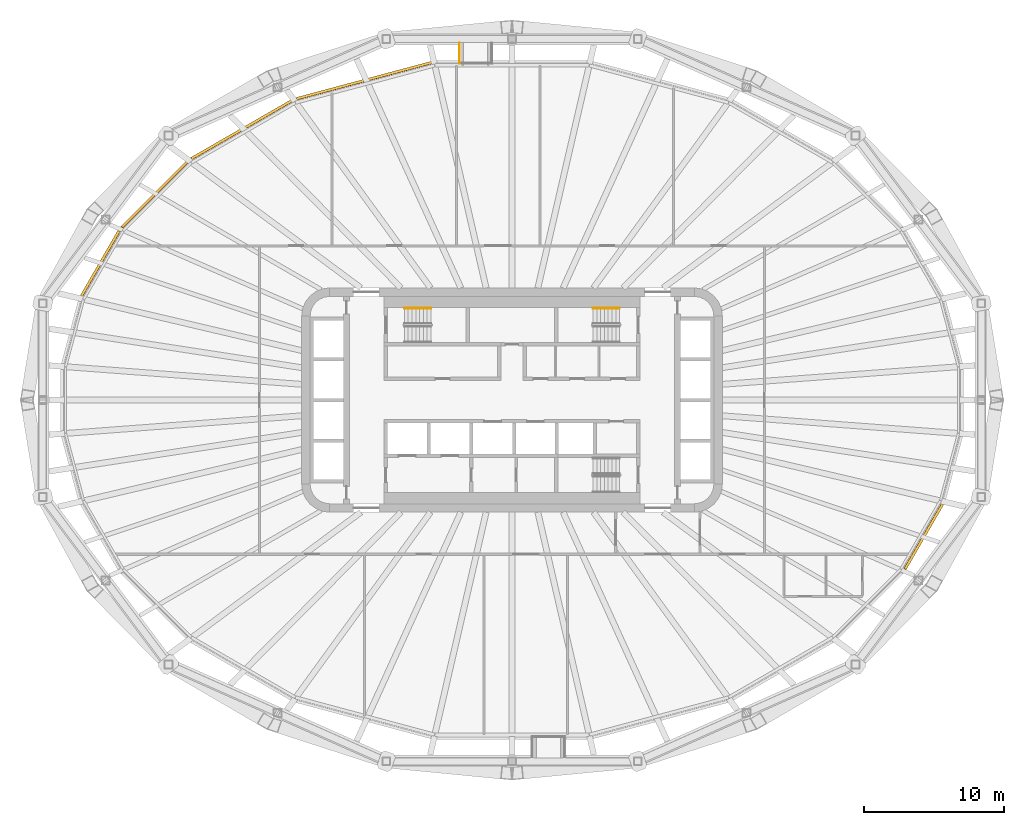
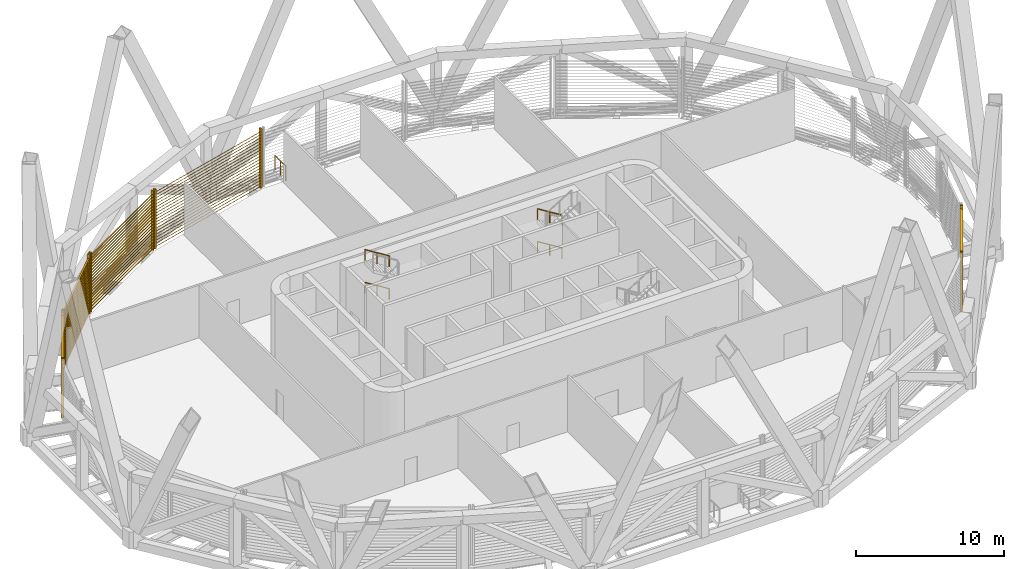
# One storey, part 16 of 18: 5 railings, 5 shading devices.
"""IFC4 building model written with IfcOpenShell, lengths in metres."""

from ifc_helpers import new_model, si_unit, direction, frame, origin, origin_2d, place, context, subcontext, project, spatial, rectangle, circle, extrude, material, type_object, element, save


model = new_model("IFC4")

# Units and contexts
model_context = context("Model", 3, precision=1e-05, world=origin(), true_north=direction((0.0, 1.0)))
body_context = subcontext(model_context, "Body", "Model", "MODEL_VIEW")
ifc_project = project(units=[si_unit("LENGTHUNIT", "METRE"), si_unit("AREAUNIT", "SQUARE_METRE"), si_unit("VOLUMEUNIT", "CUBIC_METRE"), si_unit("PLANEANGLEUNIT", "RADIAN"), si_unit("MASSUNIT", "GRAM", prefix="KILO")], contexts=[model_context])

# Site, building, storey
site_placement = place(None, origin())
site = spatial("IfcSite", under=ifc_project, at=site_placement, CompositionType="ELEMENT")
building_placement = place(site_placement, origin())
building = spatial("IfcBuilding", under=site, at=building_placement, Name="Sahrelin Media Tower", CompositionType="ELEMENT")
storey_placement = place(building_placement, frame((0.0, 0.0, 96.60009765625)))
storey = spatial("IfcBuildingStorey", under=building, at=storey_placement, Name="L18", CompositionType="ELEMENT", Elevation=96.60009765625)

# Railing
ifc_material_1 = material(Name="Stainless steel 316", Category="steel")
railing_type_1 = type_object("IfcRailingType", Name="Maintenance platform guard", PredefinedType="GUARDRAIL", material=ifc_material_1)
railing_1_placement = place(storey_placement, frame((-3.75, 24.01611328125, 0.0)))
element("IfcRailing", 1, at=railing_1_placement, inside=storey, type_object=railing_type_1, Name="Maintenance platform guard L18-06-B", PredefinedType="GUARDRAIL", context=body_context, shape_type="SweptSolid", body=[
    extrude(circle(Radius=0.02392578125, at=origin_2d()), frame((0.0, 0.0, 1.17578125), z_axis=(0.0, 1.0, 0.0), x_axis=(-1.0, 0.0, 0.0)), (0.0, 0.0, 1.0), 1.445068359375),
    extrude(circle(Radius=0.02099609375, at=origin_2d()), origin(), (0.0, 0.0, 1.0), 1.15185546875),
    extrude(circle(Radius=0.02099609375, at=origin_2d()), frame((0.0, 0.72265625, 0.0)), (0.0, 0.0, 1.0), 1.15185546875),
    extrude(circle(Radius=0.02099609375, at=origin_2d()), frame((0.0, 1.445068359375, 0.0)), (0.0, 0.0, 1.0), 1.15185546875),
])

# Shading devices
ifc_material_2 = material(Name="Champagne anodised aluminium 6063-T6", Category="aluminium")
shading_device_type = type_object("IfcShadingDeviceType", Name="Sand-rejection louvre band", PredefinedType="USERDEFINED", material=ifc_material_2)
shading_device_1_placement = place(storey_placement, frame((-10.523681640625, 22.6806640625, 0.0), z_axis=(0.0, 0.0, 1.0), x_axis=(0.965928857556, 0.258807731996, 0.0)))
element("IfcShadingDevice", 2, at=shading_device_1_placement, inside=storey, type_object=shading_device_type, Name="L18:LOUVRE:L18-07", ObjectType="LOUVRE", PredefinedType="USERDEFINED", context=body_context, shape_type="SweptSolid", body=[
    extrude(rectangle(XDim=0.1201171875, YDim=0.199951171875, at=origin_2d()), frame((5.050048828125, 0.10009765625, 0.050048828125), z_axis=(0.0, 0.0, 1.0), x_axis=(1.0, 0.0, 0.0)), (0.0, 0.0, 1.0), 4.8984375),
    extrude(rectangle(XDim=0.1201171875, YDim=0.199951171875, at=origin_2d()), frame((-5.050048828125, 0.10009765625, 0.050048828125), z_axis=(0.0, 0.0, 1.0), x_axis=(1.0, 0.0, 0.0)), (0.0, 0.0, 1.0), 4.8984375),
    extrude(rectangle(XDim=0.25, YDim=0.02001953125, at=origin_2d()), frame((4.989990234375, 0.10009765625, 0.14990234375), z_axis=(-1.0, 0.0, 0.0), x_axis=(0.0, -0.766044443119, 0.642787609687)), (0.0, 0.0, 1.0), 9.97998046875),
    extrude(rectangle(XDim=0.25, YDim=0.02001953125, at=origin_2d()), frame((4.989990234375, 0.10009765625, 0.39990234375), z_axis=(-1.0, 0.0, 0.0), x_axis=(0.0, -0.766044443119, 0.642787609687)), (0.0, 0.0, 1.0), 9.97998046875),
    extrude(rectangle(XDim=0.25, YDim=0.02001953125, at=origin_2d()), frame((4.989990234375, 0.10009765625, 0.64990234375), z_axis=(-1.0, 0.0, 0.0), x_axis=(0.0, -0.766044443119, 0.642787609687)), (0.0, 0.0, 1.0), 9.97998046875),
    extrude(rectangle(XDim=0.25, YDim=0.02001953125, at=origin_2d()), frame((4.989990234375, 0.10009765625, 0.89990234375), z_axis=(-1.0, 0.0, 0.0), x_axis=(0.0, -0.766044443119, 0.642787609687)), (0.0, 0.0, 1.0), 9.97998046875),
    extrude(rectangle(XDim=0.25, YDim=0.02001953125, at=origin_2d()), frame((4.989990234375, 0.10009765625, 1.14990234375), z_axis=(-1.0, 0.0, 0.0), x_axis=(0.0, -0.766044443119, 0.642787609687)), (0.0, 0.0, 1.0), 9.97998046875),
    extrude(rectangle(XDim=0.25, YDim=0.02001953125, at=origin_2d()), frame((4.989990234375, 0.10009765625, 1.39990234375), z_axis=(-1.0, 0.0, 0.0), x_axis=(0.0, -0.766044443119, 0.642787609687)), (0.0, 0.0, 1.0), 9.97998046875),
    extrude(rectangle(XDim=0.25, YDim=0.02001953125, at=origin_2d()), frame((4.989990234375, 0.10009765625, 1.64990234375), z_axis=(-1.0, 0.0, 0.0), x_axis=(0.0, -0.766044443119, 0.642787609687)), (0.0, 0.0, 1.0), 9.97998046875),
    extrude(rectangle(XDim=0.25, YDim=0.02001953125, at=origin_2d()), frame((4.989990234375, 0.10009765625, 1.89990234375), z_axis=(-1.0, 0.0, 0.0), x_axis=(0.0, -0.766044443119, 0.642787609687)), (0.0, 0.0, 1.0), 9.97998046875),
    extrude(rectangle(XDim=0.25, YDim=0.02001953125, at=origin_2d()), frame((4.989990234375, 0.10009765625, 2.14990234375), z_axis=(-1.0, 0.0, 0.0), x_axis=(0.0, -0.766044443119, 0.642787609687)), (0.0, 0.0, 1.0), 9.97998046875),
    extrude(rectangle(XDim=0.25, YDim=0.02001953125, at=origin_2d()), frame((4.989990234375, 0.10009765625, 2.39990234375), z_axis=(-1.0, 0.0, 0.0), x_axis=(0.0, -0.766044443119, 0.642787609687)), (0.0, 0.0, 1.0), 9.97998046875),
    extrude(rectangle(XDim=0.25, YDim=0.02001953125, at=origin_2d()), frame((4.989990234375, 0.10009765625, 2.64990234375), z_axis=(-1.0, 0.0, 0.0), x_axis=(0.0, -0.766044443119, 0.642787609687)), (0.0, 0.0, 1.0), 9.97998046875),
    extrude(rectangle(XDim=0.25, YDim=0.02001953125, at=origin_2d()), frame((4.989990234375, 0.10009765625, 2.89990234375), z_axis=(-1.0, 0.0, 0.0), x_axis=(0.0, -0.766044443119, 0.642787609687)), (0.0, 0.0, 1.0), 9.97998046875),
    extrude(rectangle(XDim=0.25, YDim=0.02001953125, at=origin_2d()), frame((4.989990234375, 0.10009765625, 3.14990234375), z_axis=(-1.0, 0.0, 0.0), x_axis=(0.0, -0.766044443119, 0.642787609687)), (0.0, 0.0, 1.0), 9.97998046875),
    extrude(rectangle(XDim=0.25, YDim=0.02001953125, at=origin_2d()), frame((4.989990234375, 0.10009765625, 3.39990234375), z_axis=(-1.0, 0.0, 0.0), x_axis=(0.0, -0.766044443119, 0.642787609687)), (0.0, 0.0, 1.0), 9.97998046875),
    extrude(rectangle(XDim=0.25, YDim=0.02001953125, at=origin_2d()), frame((4.989990234375, 0.10009765625, 3.64990234375), z_axis=(-1.0, 0.0, 0.0), x_axis=(0.0, -0.766044443119, 0.642787609687)), (0.0, 0.0, 1.0), 9.97998046875),
    extrude(rectangle(XDim=0.25, YDim=0.02001953125, at=origin_2d()), frame((4.989990234375, 0.10009765625, 3.89990234375), z_axis=(-1.0, 0.0, 0.0), x_axis=(0.0, -0.766044443119, 0.642787609687)), (0.0, 0.0, 1.0), 9.97998046875),
    extrude(rectangle(XDim=0.25, YDim=0.02001953125, at=origin_2d()), frame((4.989990234375, 0.10009765625, 4.14990234375), z_axis=(-1.0, 0.0, 0.0), x_axis=(0.0, -0.766044443119, 0.642787609687)), (0.0, 0.0, 1.0), 9.97998046875),
    extrude(rectangle(XDim=0.25, YDim=0.02001953125, at=origin_2d()), frame((4.989990234375, 0.10009765625, 4.39990234375), z_axis=(-1.0, 0.0, 0.0), x_axis=(0.0, -0.766044443119, 0.642787609687)), (0.0, 0.0, 1.0), 9.97998046875),
    extrude(rectangle(XDim=0.25, YDim=0.02001953125, at=origin_2d()), frame((4.989990234375, 0.10009765625, 4.64990234375), z_axis=(-1.0, 0.0, 0.0), x_axis=(0.0, -0.766044443119, 0.642787609687)), (0.0, 0.0, 1.0), 9.97998046875),
])
shading_device_2_placement = place(storey_placement, frame((-19.237548828125, 19.191650390625, 0.0), z_axis=(0.0, 0.0, 1.0), x_axis=(0.866019052629, 0.500011000363, 0.0)))
element("IfcShadingDevice", 3, at=shading_device_2_placement, inside=storey, type_object=shading_device_type, Name="L18:LOUVRE:L18-08", ObjectType="LOUVRE", PredefinedType="USERDEFINED", context=body_context, shape_type="SweptSolid", body=[
    extrude(rectangle(XDim=0.1201171875, YDim=0.199951171875, at=origin_2d()), frame((4.19677734375, 0.10009765625, 0.050048828125), z_axis=(0.0, 0.0, 1.0), x_axis=(1.0, 0.0, 0.0)), (0.0, 0.0, 1.0), 4.8984375),
    extrude(rectangle(XDim=0.1201171875, YDim=0.199951171875, at=origin_2d()), frame((-4.19677734375, 0.10009765625, 0.050048828125), z_axis=(0.0, 0.0, 1.0), x_axis=(1.0, 0.0, 0.0)), (0.0, 0.0, 1.0), 4.8984375),
    extrude(rectangle(XDim=0.25, YDim=0.02001953125, at=origin_2d()), frame((4.13671875, 0.10009765625, 0.14990234375), z_axis=(-1.0, 0.0, 0.0), x_axis=(0.0, -0.766044443119, 0.642787609687)), (0.0, 0.0, 1.0), 8.2734375),
    extrude(rectangle(XDim=0.25, YDim=0.02001953125, at=origin_2d()), frame((4.13671875, 0.10009765625, 0.39990234375), z_axis=(-1.0, 0.0, 0.0), x_axis=(0.0, -0.766044443119, 0.642787609687)), (0.0, 0.0, 1.0), 8.2734375),
    extrude(rectangle(XDim=0.25, YDim=0.02001953125, at=origin_2d()), frame((4.13671875, 0.10009765625, 0.64990234375), z_axis=(-1.0, 0.0, 0.0), x_axis=(0.0, -0.766044443119, 0.642787609687)), (0.0, 0.0, 1.0), 8.2734375),
    extrude(rectangle(XDim=0.25, YDim=0.02001953125, at=origin_2d()), frame((4.13671875, 0.10009765625, 0.89990234375), z_axis=(-1.0, 0.0, 0.0), x_axis=(0.0, -0.766044443119, 0.642787609687)), (0.0, 0.0, 1.0), 8.2734375),
    extrude(rectangle(XDim=0.25, YDim=0.02001953125, at=origin_2d()), frame((4.13671875, 0.10009765625, 1.14990234375), z_axis=(-1.0, 0.0, 0.0), x_axis=(0.0, -0.766044443119, 0.642787609687)), (0.0, 0.0, 1.0), 8.2734375),
    extrude(rectangle(XDim=0.25, YDim=0.02001953125, at=origin_2d()), frame((4.13671875, 0.10009765625, 1.39990234375), z_axis=(-1.0, 0.0, 0.0), x_axis=(0.0, -0.766044443119, 0.642787609687)), (0.0, 0.0, 1.0), 8.2734375),
    extrude(rectangle(XDim=0.25, YDim=0.02001953125, at=origin_2d()), frame((4.13671875, 0.10009765625, 1.64990234375), z_axis=(-1.0, 0.0, 0.0), x_axis=(0.0, -0.766044443119, 0.642787609687)), (0.0, 0.0, 1.0), 8.2734375),
    extrude(rectangle(XDim=0.25, YDim=0.02001953125, at=origin_2d()), frame((4.13671875, 0.10009765625, 1.89990234375), z_axis=(-1.0, 0.0, 0.0), x_axis=(0.0, -0.766044443119, 0.642787609687)), (0.0, 0.0, 1.0), 8.2734375),
    extrude(rectangle(XDim=0.25, YDim=0.02001953125, at=origin_2d()), frame((4.13671875, 0.10009765625, 2.14990234375), z_axis=(-1.0, 0.0, 0.0), x_axis=(0.0, -0.766044443119, 0.642787609687)), (0.0, 0.0, 1.0), 8.2734375),
    extrude(rectangle(XDim=0.25, YDim=0.02001953125, at=origin_2d()), frame((4.13671875, 0.10009765625, 2.39990234375), z_axis=(-1.0, 0.0, 0.0), x_axis=(0.0, -0.766044443119, 0.642787609687)), (0.0, 0.0, 1.0), 8.2734375),
    extrude(rectangle(XDim=0.25, YDim=0.02001953125, at=origin_2d()), frame((4.13671875, 0.10009765625, 2.64990234375), z_axis=(-1.0, 0.0, 0.0), x_axis=(0.0, -0.766044443119, 0.642787609687)), (0.0, 0.0, 1.0), 8.2734375),
    extrude(rectangle(XDim=0.25, YDim=0.02001953125, at=origin_2d()), frame((4.13671875, 0.10009765625, 2.89990234375), z_axis=(-1.0, 0.0, 0.0), x_axis=(0.0, -0.766044443119, 0.642787609687)), (0.0, 0.0, 1.0), 8.2734375),
    extrude(rectangle(XDim=0.25, YDim=0.02001953125, at=origin_2d()), frame((4.13671875, 0.10009765625, 3.14990234375), z_axis=(-1.0, 0.0, 0.0), x_axis=(0.0, -0.766044443119, 0.642787609687)), (0.0, 0.0, 1.0), 8.2734375),
    extrude(rectangle(XDim=0.25, YDim=0.02001953125, at=origin_2d()), frame((4.13671875, 0.10009765625, 3.39990234375), z_axis=(-1.0, 0.0, 0.0), x_axis=(0.0, -0.766044443119, 0.642787609687)), (0.0, 0.0, 1.0), 8.2734375),
    extrude(rectangle(XDim=0.25, YDim=0.02001953125, at=origin_2d()), frame((4.13671875, 0.10009765625, 3.64990234375), z_axis=(-1.0, 0.0, 0.0), x_axis=(0.0, -0.766044443119, 0.642787609687)), (0.0, 0.0, 1.0), 8.2734375),
    extrude(rectangle(XDim=0.25, YDim=0.02001953125, at=origin_2d()), frame((4.13671875, 0.10009765625, 3.89990234375), z_axis=(-1.0, 0.0, 0.0), x_axis=(0.0, -0.766044443119, 0.642787609687)), (0.0, 0.0, 1.0), 8.2734375),
    extrude(rectangle(XDim=0.25, YDim=0.02001953125, at=origin_2d()), frame((4.13671875, 0.10009765625, 4.14990234375), z_axis=(-1.0, 0.0, 0.0), x_axis=(0.0, -0.766044443119, 0.642787609687)), (0.0, 0.0, 1.0), 8.2734375),
    extrude(rectangle(XDim=0.25, YDim=0.02001953125, at=origin_2d()), frame((4.13671875, 0.10009765625, 4.39990234375), z_axis=(-1.0, 0.0, 0.0), x_axis=(0.0, -0.766044443119, 0.642787609687)), (0.0, 0.0, 1.0), 8.2734375),
    extrude(rectangle(XDim=0.25, YDim=0.02001953125, at=origin_2d()), frame((4.13671875, 0.10009765625, 4.64990234375), z_axis=(-1.0, 0.0, 0.0), x_axis=(0.0, -0.766044443119, 0.642787609687)), (0.0, 0.0, 1.0), 8.2734375),
])
shading_device_3_placement = place(storey_placement, frame((-25.4111328125, 14.59423828125, 0.0), z_axis=(0.0, 0.0, 1.0), x_axis=(0.707106781187, 0.707106781187, 0.0)))
element("IfcShadingDevice", 4, at=shading_device_3_placement, inside=storey, type_object=shading_device_type, Name="L18:LOUVRE:L18-09", ObjectType="LOUVRE", PredefinedType="USERDEFINED", context=body_context, shape_type="SweptSolid", body=[
    extrude(rectangle(XDim=0.1201171875, YDim=0.199951171875, at=origin_2d()), frame((3.34619140625, 0.10009765625, 0.050048828125), z_axis=(0.0, 0.0, 1.0), x_axis=(1.0, 0.0, 0.0)), (0.0, 0.0, 1.0), 4.8984375),
    extrude(rectangle(XDim=0.1201171875, YDim=0.199951171875, at=origin_2d()), frame((-3.34619140625, 0.10009765625, 0.050048828125), z_axis=(0.0, 0.0, 1.0), x_axis=(1.0, 0.0, 0.0)), (0.0, 0.0, 1.0), 4.8984375),
    extrude(rectangle(XDim=0.25, YDim=0.02001953125, at=origin_2d()), frame((3.286376953125, 0.10009765625, 0.14990234375), z_axis=(-1.0, 0.0, 0.0), x_axis=(0.0, -0.766044443119, 0.642787609687)), (0.0, 0.0, 1.0), 6.57275390625),
    extrude(rectangle(XDim=0.25, YDim=0.02001953125, at=origin_2d()), frame((3.286376953125, 0.10009765625, 0.39990234375), z_axis=(-1.0, 0.0, 0.0), x_axis=(0.0, -0.766044443119, 0.642787609687)), (0.0, 0.0, 1.0), 6.57275390625),
    extrude(rectangle(XDim=0.25, YDim=0.02001953125, at=origin_2d()), frame((3.286376953125, 0.10009765625, 0.64990234375), z_axis=(-1.0, 0.0, 0.0), x_axis=(0.0, -0.766044443119, 0.642787609687)), (0.0, 0.0, 1.0), 6.57275390625),
    extrude(rectangle(XDim=0.25, YDim=0.02001953125, at=origin_2d()), frame((3.286376953125, 0.10009765625, 0.89990234375), z_axis=(-1.0, 0.0, 0.0), x_axis=(0.0, -0.766044443119, 0.642787609687)), (0.0, 0.0, 1.0), 6.57275390625),
    extrude(rectangle(XDim=0.25, YDim=0.02001953125, at=origin_2d()), frame((3.286376953125, 0.10009765625, 1.14990234375), z_axis=(-1.0, 0.0, 0.0), x_axis=(0.0, -0.766044443119, 0.642787609687)), (0.0, 0.0, 1.0), 6.57275390625),
    extrude(rectangle(XDim=0.25, YDim=0.02001953125, at=origin_2d()), frame((3.286376953125, 0.10009765625, 1.39990234375), z_axis=(-1.0, 0.0, 0.0), x_axis=(0.0, -0.766044443119, 0.642787609687)), (0.0, 0.0, 1.0), 6.57275390625),
    extrude(rectangle(XDim=0.25, YDim=0.02001953125, at=origin_2d()), frame((3.286376953125, 0.10009765625, 1.64990234375), z_axis=(-1.0, 0.0, 0.0), x_axis=(0.0, -0.766044443119, 0.642787609687)), (0.0, 0.0, 1.0), 6.57275390625),
    extrude(rectangle(XDim=0.25, YDim=0.02001953125, at=origin_2d()), frame((3.286376953125, 0.10009765625, 1.89990234375), z_axis=(-1.0, 0.0, 0.0), x_axis=(0.0, -0.766044443119, 0.642787609687)), (0.0, 0.0, 1.0), 6.57275390625),
    extrude(rectangle(XDim=0.25, YDim=0.02001953125, at=origin_2d()), frame((3.286376953125, 0.10009765625, 2.14990234375), z_axis=(-1.0, 0.0, 0.0), x_axis=(0.0, -0.766044443119, 0.642787609687)), (0.0, 0.0, 1.0), 6.57275390625),
    extrude(rectangle(XDim=0.25, YDim=0.02001953125, at=origin_2d()), frame((3.286376953125, 0.10009765625, 2.39990234375), z_axis=(-1.0, 0.0, 0.0), x_axis=(0.0, -0.766044443119, 0.642787609687)), (0.0, 0.0, 1.0), 6.57275390625),
    extrude(rectangle(XDim=0.25, YDim=0.02001953125, at=origin_2d()), frame((3.286376953125, 0.10009765625, 2.64990234375), z_axis=(-1.0, 0.0, 0.0), x_axis=(0.0, -0.766044443119, 0.642787609687)), (0.0, 0.0, 1.0), 6.57275390625),
    extrude(rectangle(XDim=0.25, YDim=0.02001953125, at=origin_2d()), frame((3.286376953125, 0.10009765625, 2.89990234375), z_axis=(-1.0, 0.0, 0.0), x_axis=(0.0, -0.766044443119, 0.642787609687)), (0.0, 0.0, 1.0), 6.57275390625),
    extrude(rectangle(XDim=0.25, YDim=0.02001953125, at=origin_2d()), frame((3.286376953125, 0.10009765625, 3.14990234375), z_axis=(-1.0, 0.0, 0.0), x_axis=(0.0, -0.766044443119, 0.642787609687)), (0.0, 0.0, 1.0), 6.57275390625),
    extrude(rectangle(XDim=0.25, YDim=0.02001953125, at=origin_2d()), frame((3.286376953125, 0.10009765625, 3.39990234375), z_axis=(-1.0, 0.0, 0.0), x_axis=(0.0, -0.766044443119, 0.642787609687)), (0.0, 0.0, 1.0), 6.57275390625),
    extrude(rectangle(XDim=0.25, YDim=0.02001953125, at=origin_2d()), frame((3.286376953125, 0.10009765625, 3.64990234375), z_axis=(-1.0, 0.0, 0.0), x_axis=(0.0, -0.766044443119, 0.642787609687)), (0.0, 0.0, 1.0), 6.57275390625),
    extrude(rectangle(XDim=0.25, YDim=0.02001953125, at=origin_2d()), frame((3.286376953125, 0.10009765625, 3.89990234375), z_axis=(-1.0, 0.0, 0.0), x_axis=(0.0, -0.766044443119, 0.642787609687)), (0.0, 0.0, 1.0), 6.57275390625),
    extrude(rectangle(XDim=0.25, YDim=0.02001953125, at=origin_2d()), frame((3.286376953125, 0.10009765625, 4.14990234375), z_axis=(-1.0, 0.0, 0.0), x_axis=(0.0, -0.766044443119, 0.642787609687)), (0.0, 0.0, 1.0), 6.57275390625),
    extrude(rectangle(XDim=0.25, YDim=0.02001953125, at=origin_2d()), frame((3.286376953125, 0.10009765625, 4.39990234375), z_axis=(-1.0, 0.0, 0.0), x_axis=(0.0, -0.766044443119, 0.642787609687)), (0.0, 0.0, 1.0), 6.57275390625),
    extrude(rectangle(XDim=0.25, YDim=0.02001953125, at=origin_2d()), frame((3.286376953125, 0.10009765625, 4.64990234375), z_axis=(-1.0, 0.0, 0.0), x_axis=(0.0, -0.766044443119, 0.642787609687)), (0.0, 0.0, 1.0), 6.57275390625),
])
shading_device_4_placement = place(storey_placement, frame((-29.27783203125, 9.686279296875, 0.0), z_axis=(0.0, 0.0, 1.0), x_axis=(0.500011000363, 0.866019052629, 0.0)))
element("IfcShadingDevice", 5, at=shading_device_4_placement, inside=storey, type_object=shading_device_type, Name="L18:LOUVRE:L18-10", ObjectType="LOUVRE", PredefinedType="USERDEFINED", context=body_context, shape_type="SweptSolid", body=[
    extrude(rectangle(XDim=0.1201171875, YDim=0.199951171875, at=origin_2d()), frame((2.7353515625, 0.10009765625, 0.050048828125), z_axis=(0.0, 0.0, 1.0), x_axis=(1.0, 0.0, 0.0)), (0.0, 0.0, 1.0), 4.8984375),
    extrude(rectangle(XDim=0.1201171875, YDim=0.199951171875, at=origin_2d()), frame((-2.7353515625, 0.10009765625, 0.050048828125), z_axis=(0.0, 0.0, 1.0), x_axis=(1.0, 0.0, 0.0)), (0.0, 0.0, 1.0), 4.8984375),
    extrude(rectangle(XDim=0.25, YDim=0.02001953125, at=origin_2d()), frame((2.67529296875, 0.10009765625, 0.14990234375), z_axis=(-1.0, 0.0, 0.0), x_axis=(0.0, -0.766044443119, 0.642787609687)), (0.0, 0.0, 1.0), 5.3505859375),
    extrude(rectangle(XDim=0.25, YDim=0.02001953125, at=origin_2d()), frame((2.67529296875, 0.10009765625, 0.39990234375), z_axis=(-1.0, 0.0, 0.0), x_axis=(0.0, -0.766044443119, 0.642787609687)), (0.0, 0.0, 1.0), 5.3505859375),
    extrude(rectangle(XDim=0.25, YDim=0.02001953125, at=origin_2d()), frame((2.67529296875, 0.10009765625, 0.64990234375), z_axis=(-1.0, 0.0, 0.0), x_axis=(0.0, -0.766044443119, 0.642787609687)), (0.0, 0.0, 1.0), 5.3505859375),
    extrude(rectangle(XDim=0.25, YDim=0.02001953125, at=origin_2d()), frame((2.67529296875, 0.10009765625, 0.89990234375), z_axis=(-1.0, 0.0, 0.0), x_axis=(0.0, -0.766044443119, 0.642787609687)), (0.0, 0.0, 1.0), 5.3505859375),
    extrude(rectangle(XDim=0.25, YDim=0.02001953125, at=origin_2d()), frame((2.67529296875, 0.10009765625, 1.14990234375), z_axis=(-1.0, 0.0, 0.0), x_axis=(0.0, -0.766044443119, 0.642787609687)), (0.0, 0.0, 1.0), 5.3505859375),
    extrude(rectangle(XDim=0.25, YDim=0.02001953125, at=origin_2d()), frame((2.67529296875, 0.10009765625, 1.39990234375), z_axis=(-1.0, 0.0, 0.0), x_axis=(0.0, -0.766044443119, 0.642787609687)), (0.0, 0.0, 1.0), 5.3505859375),
    extrude(rectangle(XDim=0.25, YDim=0.02001953125, at=origin_2d()), frame((2.67529296875, 0.10009765625, 1.64990234375), z_axis=(-1.0, 0.0, 0.0), x_axis=(0.0, -0.766044443119, 0.642787609687)), (0.0, 0.0, 1.0), 5.3505859375),
    extrude(rectangle(XDim=0.25, YDim=0.02001953125, at=origin_2d()), frame((2.67529296875, 0.10009765625, 1.89990234375), z_axis=(-1.0, 0.0, 0.0), x_axis=(0.0, -0.766044443119, 0.642787609687)), (0.0, 0.0, 1.0), 5.3505859375),
    extrude(rectangle(XDim=0.25, YDim=0.02001953125, at=origin_2d()), frame((2.67529296875, 0.10009765625, 2.14990234375), z_axis=(-1.0, 0.0, 0.0), x_axis=(0.0, -0.766044443119, 0.642787609687)), (0.0, 0.0, 1.0), 5.3505859375),
    extrude(rectangle(XDim=0.25, YDim=0.02001953125, at=origin_2d()), frame((2.67529296875, 0.10009765625, 2.39990234375), z_axis=(-1.0, 0.0, 0.0), x_axis=(0.0, -0.766044443119, 0.642787609687)), (0.0, 0.0, 1.0), 5.3505859375),
    extrude(rectangle(XDim=0.25, YDim=0.02001953125, at=origin_2d()), frame((2.67529296875, 0.10009765625, 2.64990234375), z_axis=(-1.0, 0.0, 0.0), x_axis=(0.0, -0.766044443119, 0.642787609687)), (0.0, 0.0, 1.0), 5.3505859375),
    extrude(rectangle(XDim=0.25, YDim=0.02001953125, at=origin_2d()), frame((2.67529296875, 0.10009765625, 2.89990234375), z_axis=(-1.0, 0.0, 0.0), x_axis=(0.0, -0.766044443119, 0.642787609687)), (0.0, 0.0, 1.0), 5.3505859375),
    extrude(rectangle(XDim=0.25, YDim=0.02001953125, at=origin_2d()), frame((2.67529296875, 0.10009765625, 3.14990234375), z_axis=(-1.0, 0.0, 0.0), x_axis=(0.0, -0.766044443119, 0.642787609687)), (0.0, 0.0, 1.0), 5.3505859375),
    extrude(rectangle(XDim=0.25, YDim=0.02001953125, at=origin_2d()), frame((2.67529296875, 0.10009765625, 3.39990234375), z_axis=(-1.0, 0.0, 0.0), x_axis=(0.0, -0.766044443119, 0.642787609687)), (0.0, 0.0, 1.0), 5.3505859375),
    extrude(rectangle(XDim=0.25, YDim=0.02001953125, at=origin_2d()), frame((2.67529296875, 0.10009765625, 3.64990234375), z_axis=(-1.0, 0.0, 0.0), x_axis=(0.0, -0.766044443119, 0.642787609687)), (0.0, 0.0, 1.0), 5.3505859375),
    extrude(rectangle(XDim=0.25, YDim=0.02001953125, at=origin_2d()), frame((2.67529296875, 0.10009765625, 3.89990234375), z_axis=(-1.0, 0.0, 0.0), x_axis=(0.0, -0.766044443119, 0.642787609687)), (0.0, 0.0, 1.0), 5.3505859375),
    extrude(rectangle(XDim=0.25, YDim=0.02001953125, at=origin_2d()), frame((2.67529296875, 0.10009765625, 4.14990234375), z_axis=(-1.0, 0.0, 0.0), x_axis=(0.0, -0.766044443119, 0.642787609687)), (0.0, 0.0, 1.0), 5.3505859375),
    extrude(rectangle(XDim=0.25, YDim=0.02001953125, at=origin_2d()), frame((2.67529296875, 0.10009765625, 4.39990234375), z_axis=(-1.0, 0.0, 0.0), x_axis=(0.0, -0.766044443119, 0.642787609687)), (0.0, 0.0, 1.0), 5.3505859375),
    extrude(rectangle(XDim=0.25, YDim=0.02001953125, at=origin_2d()), frame((2.67529296875, 0.10009765625, 4.64990234375), z_axis=(-1.0, 0.0, 0.0), x_axis=(0.0, -0.766044443119, 0.642787609687)), (0.0, 0.0, 1.0), 5.3505859375),
])
shading_device_5_placement = place(storey_placement, frame((29.27783203125, -9.686279296875, 0.0), z_axis=(0.0, 0.0, 1.0), x_axis=(-0.500011000363, -0.866019052629, 0.0)))
element("IfcShadingDevice", 6, at=shading_device_5_placement, inside=storey, type_object=shading_device_type, Name="L18:LOUVRE:L18-22", ObjectType="LOUVRE", PredefinedType="USERDEFINED", context=body_context, shape_type="SweptSolid", body=[
    extrude(rectangle(XDim=0.1201171875, YDim=0.199951171875, at=origin_2d()), frame((2.7353515625, 0.10009765625, 0.050048828125), z_axis=(0.0, 0.0, 1.0), x_axis=(1.0, 0.0, 0.0)), (0.0, 0.0, 1.0), 4.8984375),
    extrude(rectangle(XDim=0.1201171875, YDim=0.199951171875, at=origin_2d()), frame((-2.7353515625, 0.10009765625, 0.050048828125), z_axis=(0.0, 0.0, 1.0), x_axis=(1.0, 0.0, 0.0)), (0.0, 0.0, 1.0), 4.8984375),
    extrude(rectangle(XDim=0.25, YDim=0.02001953125, at=origin_2d()), frame((2.67529296875, 0.10009765625, 0.14990234375), z_axis=(-1.0, 0.0, 0.0), x_axis=(0.0, -0.766044443119, 0.642787609687)), (0.0, 0.0, 1.0), 5.3505859375),
    extrude(rectangle(XDim=0.25, YDim=0.02001953125, at=origin_2d()), frame((2.67529296875, 0.10009765625, 0.39990234375), z_axis=(-1.0, 0.0, 0.0), x_axis=(0.0, -0.766044443119, 0.642787609687)), (0.0, 0.0, 1.0), 5.3505859375),
    extrude(rectangle(XDim=0.25, YDim=0.02001953125, at=origin_2d()), frame((2.67529296875, 0.10009765625, 0.64990234375), z_axis=(-1.0, 0.0, 0.0), x_axis=(0.0, -0.766044443119, 0.642787609687)), (0.0, 0.0, 1.0), 5.3505859375),
    extrude(rectangle(XDim=0.25, YDim=0.02001953125, at=origin_2d()), frame((2.67529296875, 0.10009765625, 0.89990234375), z_axis=(-1.0, 0.0, 0.0), x_axis=(0.0, -0.766044443119, 0.642787609687)), (0.0, 0.0, 1.0), 5.3505859375),
    extrude(rectangle(XDim=0.25, YDim=0.02001953125, at=origin_2d()), frame((2.67529296875, 0.10009765625, 1.14990234375), z_axis=(-1.0, 0.0, 0.0), x_axis=(0.0, -0.766044443119, 0.642787609687)), (0.0, 0.0, 1.0), 5.3505859375),
    extrude(rectangle(XDim=0.25, YDim=0.02001953125, at=origin_2d()), frame((2.67529296875, 0.10009765625, 1.39990234375), z_axis=(-1.0, 0.0, 0.0), x_axis=(0.0, -0.766044443119, 0.642787609687)), (0.0, 0.0, 1.0), 5.3505859375),
    extrude(rectangle(XDim=0.25, YDim=0.02001953125, at=origin_2d()), frame((2.67529296875, 0.10009765625, 1.64990234375), z_axis=(-1.0, 0.0, 0.0), x_axis=(0.0, -0.766044443119, 0.642787609687)), (0.0, 0.0, 1.0), 5.3505859375),
    extrude(rectangle(XDim=0.25, YDim=0.02001953125, at=origin_2d()), frame((2.67529296875, 0.10009765625, 1.89990234375), z_axis=(-1.0, 0.0, 0.0), x_axis=(0.0, -0.766044443119, 0.642787609687)), (0.0, 0.0, 1.0), 5.3505859375),
    extrude(rectangle(XDim=0.25, YDim=0.02001953125, at=origin_2d()), frame((2.67529296875, 0.10009765625, 2.14990234375), z_axis=(-1.0, 0.0, 0.0), x_axis=(0.0, -0.766044443119, 0.642787609687)), (0.0, 0.0, 1.0), 5.3505859375),
    extrude(rectangle(XDim=0.25, YDim=0.02001953125, at=origin_2d()), frame((2.67529296875, 0.10009765625, 2.39990234375), z_axis=(-1.0, 0.0, 0.0), x_axis=(0.0, -0.766044443119, 0.642787609687)), (0.0, 0.0, 1.0), 5.3505859375),
    extrude(rectangle(XDim=0.25, YDim=0.02001953125, at=origin_2d()), frame((2.67529296875, 0.10009765625, 2.64990234375), z_axis=(-1.0, 0.0, 0.0), x_axis=(0.0, -0.766044443119, 0.642787609687)), (0.0, 0.0, 1.0), 5.3505859375),
    extrude(rectangle(XDim=0.25, YDim=0.02001953125, at=origin_2d()), frame((2.67529296875, 0.10009765625, 2.89990234375), z_axis=(-1.0, 0.0, 0.0), x_axis=(0.0, -0.766044443119, 0.642787609687)), (0.0, 0.0, 1.0), 5.3505859375),
    extrude(rectangle(XDim=0.25, YDim=0.02001953125, at=origin_2d()), frame((2.67529296875, 0.10009765625, 3.14990234375), z_axis=(-1.0, 0.0, 0.0), x_axis=(0.0, -0.766044443119, 0.642787609687)), (0.0, 0.0, 1.0), 5.3505859375),
    extrude(rectangle(XDim=0.25, YDim=0.02001953125, at=origin_2d()), frame((2.67529296875, 0.10009765625, 3.39990234375), z_axis=(-1.0, 0.0, 0.0), x_axis=(0.0, -0.766044443119, 0.642787609687)), (0.0, 0.0, 1.0), 5.3505859375),
    extrude(rectangle(XDim=0.25, YDim=0.02001953125, at=origin_2d()), frame((2.67529296875, 0.10009765625, 3.64990234375), z_axis=(-1.0, 0.0, 0.0), x_axis=(0.0, -0.766044443119, 0.642787609687)), (0.0, 0.0, 1.0), 5.3505859375),
    extrude(rectangle(XDim=0.25, YDim=0.02001953125, at=origin_2d()), frame((2.67529296875, 0.10009765625, 3.89990234375), z_axis=(-1.0, 0.0, 0.0), x_axis=(0.0, -0.766044443119, 0.642787609687)), (0.0, 0.0, 1.0), 5.3505859375),
    extrude(rectangle(XDim=0.25, YDim=0.02001953125, at=origin_2d()), frame((2.67529296875, 0.10009765625, 4.14990234375), z_axis=(-1.0, 0.0, 0.0), x_axis=(0.0, -0.766044443119, 0.642787609687)), (0.0, 0.0, 1.0), 5.3505859375),
    extrude(rectangle(XDim=0.25, YDim=0.02001953125, at=origin_2d()), frame((2.67529296875, 0.10009765625, 4.39990234375), z_axis=(-1.0, 0.0, 0.0), x_axis=(0.0, -0.766044443119, 0.642787609687)), (0.0, 0.0, 1.0), 5.3505859375),
    extrude(rectangle(XDim=0.25, YDim=0.02001953125, at=origin_2d()), frame((2.67529296875, 0.10009765625, 4.64990234375), z_axis=(-1.0, 0.0, 0.0), x_axis=(0.0, -0.766044443119, 0.642787609687)), (0.0, 0.0, 1.0), 5.3505859375),
])

# Railings
ifc_material_3 = material(Name="Steel S355", Category="steel")
railing_type_2 = type_object("IfcRailingType", Name="Stair handrail 900", PredefinedType="HANDRAIL", material=ifc_material_3)
railing_2_placement = place(storey_placement, frame((-5.77490234375, 6.550048828125, 1.5185546875)))
element("IfcRailing", 7, at=railing_2_placement, inside=storey, type_object=railing_type_2, Name="L18 ST1 stair handrail 2", PredefinedType="HANDRAIL", context=body_context, shape_type="SweptSolid", body=[
    extrude(circle(Radius=0.02392578125, at=origin_2d()), frame((0.0, 0.0, 0.8759765625), z_axis=(-0.849240365539, 0.0, 0.528006440812), x_axis=(0.0, -1.0, 0.0)), (0.0, 0.0, 1.0), 2.237548828125),
    extrude(circle(Radius=0.02099609375, at=origin_2d()), origin(), (0.0, 0.0, 1.0), 0.851806640625),
    extrude(circle(Radius=0.02099609375, at=origin_2d()), frame((-0.9501953125, 0.0, 0.5908203125)), (0.0, 0.0, 1.0), 0.851806640625),
    extrude(circle(Radius=0.02099609375, at=origin_2d()), frame((-1.900146484375, 0.0, 1.181396484375)), (0.0, 0.0, 1.0), 0.851806640625),
])
for number, where, name in (
    (8, (-5.77490234375, 6.550048828125, 4.21875), "L18 ST1 stair handrail 4"),
    (9, (7.675048828125, 6.550048828125, 0.168701171875), "L18 ST3 stair handrail 1"),
    (10, (7.675048828125, 6.550048828125, 2.86865234375), "L18 ST3 stair handrail 3"),
):
    element("IfcRailing", number, at=place(storey_placement, frame(where)), inside=storey, type_object=railing_type_2, Name=name, PredefinedType="HANDRAIL", context=body_context, shape_type="SweptSolid", body=[
        extrude(circle(Radius=0.02392578125, at=origin_2d()), frame((0.0, 0.0, 0.8759765625), z_axis=(-0.849289292259, 0.0, 0.527927739425), x_axis=(0.0, -1.0, 0.0)), (0.0, 0.0, 1.0), 2.2373046875),
        extrude(circle(Radius=0.02099609375, at=origin_2d()), origin(), (0.0, 0.0, 1.0), 0.851806640625),
        extrude(circle(Radius=0.02099609375, at=origin_2d()), frame((-0.9501953125, 0.0, 0.590576171875)), (0.0, 0.0, 1.0), 0.851806640625),
        extrude(circle(Radius=0.02099609375, at=origin_2d()), frame((-1.900146484375, 0.0, 1.18115234375)), (0.0, 0.0, 1.0), 0.851806640625),
    ])

save(model, "model.ifc")
